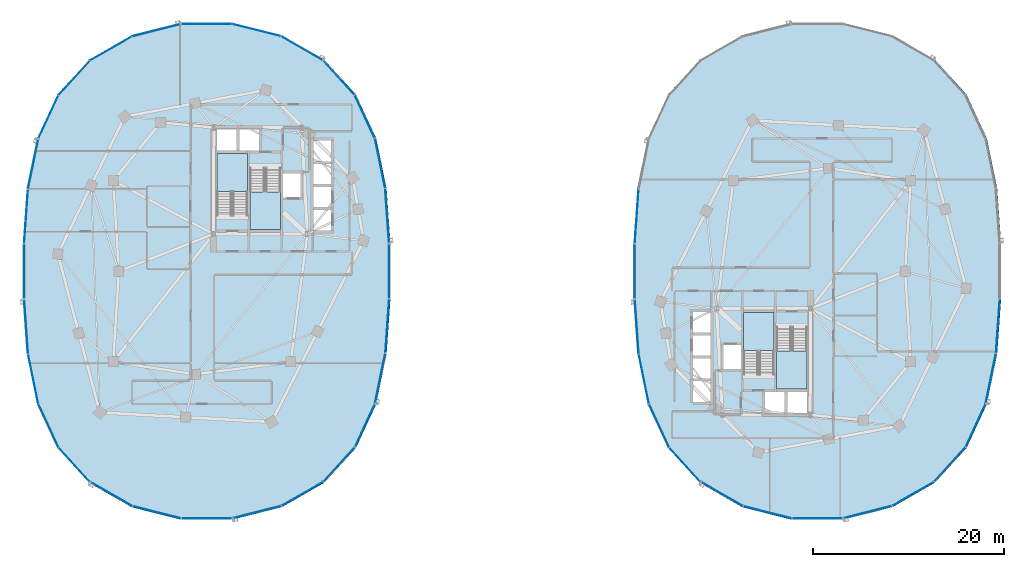
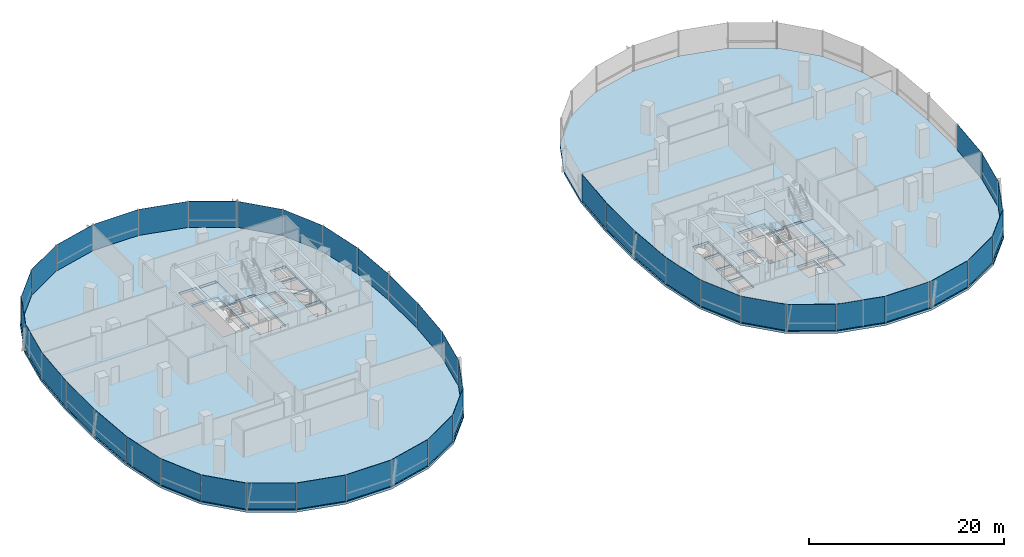
# One storey, part 9 of 21: 43 plates, 6 slabs, 11 elements without a shape of their own.
"""IFC4 building model written with IfcOpenShell, lengths in metres."""

from ifc_helpers import new_model, si_unit, direction, frame, origin, origin_2d, place, context, subcontext, project, spatial, polyline, rectangle, outline, extrude, material, layer, layer_set, type_object, element, aggregate, save


model = new_model("IFC4")

# Units and contexts
model_context = context("Model", 3, precision=1e-05, world=origin(), true_north=direction((0.0, 1.0)))
body_context = subcontext(model_context, "Body", "Model", "MODEL_VIEW")
ifc_project = project(units=[si_unit("LENGTHUNIT", "METRE"), si_unit("AREAUNIT", "SQUARE_METRE"), si_unit("VOLUMEUNIT", "CUBIC_METRE"), si_unit("PLANEANGLEUNIT", "RADIAN"), si_unit("MASSUNIT", "GRAM", prefix="KILO"), si_unit("THERMODYNAMICTEMPERATUREUNIT", "KELVIN"), si_unit("POWERUNIT", "WATT")], contexts=[model_context])

# Site, building, storey
site_placement = place(None, origin())
site = spatial("IfcSite", under=ifc_project, at=site_placement, CompositionType="ELEMENT")
building_placement = place(site_placement, origin())
building = spatial("IfcBuilding", under=site, at=building_placement, Name="Cundina Bronze Exchange", CompositionType="ELEMENT")
storey_placement = place(building_placement, frame((0.0, 0.0, 110.60009765625)))
storey = spatial("IfcBuildingStorey", under=building, at=storey_placement, Name="L28", CompositionType="ELEMENT", Elevation=110.60009765625)

# Curtain wall, plates
ifc_material_1 = material(Name="Anodised Bronze Aluminium 6063-T6", Category="aluminium")
curtain_wall_type = type_object("IfcCurtainWallType", Name="CWS-TRD-MID", PredefinedType="NOTDEFINED", material=ifc_material_1)
curtain_wall_1_placement = place(storey_placement, origin())
curtain_wall_1 = element("IfcCurtainWall", 1, at=curtain_wall_1_placement, inside=storey, type_object=curtain_wall_type, Name="L28 CW-03 Curtain Wall Run CWR-L28-W1", PredefinedType="NOTDEFINED")
ifc_material_2 = material(Name="Heat-Strengthened Solar-Control Bronze Safety Glass 28mm", Category="glass")
ifc_layer_1 = layer(ifc_material_2, 0.028076171875, Name="Heat-Strengthened Solar-Control Bronze Safety Glass 28mm", Category="glass")
ifc_layer_set_1 = layer_set([ifc_layer_1], Name="Heat-Strengthened Solar-Control Bronze Safety Glass 28mm")
plate_type_1 = type_object("IfcPlateType", Name="PLT-GLZ-VIS28", PredefinedType="CURTAIN_PANEL", material=ifc_layer_set_1)
plate_1_placement = place(storey_placement, frame((-13.0732421875, 5.783935546875, 0.02001953125), z_axis=(0.0, 0.0, 1.0), x_axis=(-0.070278787473, 0.997527389113, 0.0)))
plate_1 = element("IfcPlate", 2, at=plate_1_placement, type_object=plate_type_1, Name="CW-03 Glazed Panel 1", PredefinedType="CURTAIN_PANEL", context=body_context, shape_type="SweptSolid", body=[
    extrude(rectangle(XDim=5.644287109375, YDim=0.028076171875, at=origin_2d()), origin(), (0.0, 0.0, 1.0), 3.260009765625),
])
plate_2_placement = place(storey_placement, frame((-15.413818359375, 16.177734375, 0.02001953125), z_axis=(0.0, 0.0, 1.0), x_axis=(-0.42084583328, 0.907132175932, 0.0)))
plate_2 = element("IfcPlate", 3, at=plate_2_placement, type_object=plate_type_1, Name="CW-03 Glazed Panel 3", PredefinedType="CURTAIN_PANEL", context=body_context, shape_type="SweptSolid", body=[
    extrude(rectangle(XDim=4.966552734375, YDim=0.028076171875, at=origin_2d()), origin(), (0.0, 0.0, 1.0), 3.260009765625),
])
plate_3_placement = place(storey_placement, frame((-18.1259765625, 20.267333984375, 0.02001953125), z_axis=(0.0, 0.0, 1.0), x_axis=(-0.674276610219, 0.73847887777, 0.0)))
plate_3 = element("IfcPlate", 4, at=plate_3_placement, type_object=plate_type_1, Name="CW-03 Glazed Panel 4", PredefinedType="CURTAIN_PANEL", context=body_context, shape_type="SweptSolid", body=[
    extrude(rectangle(XDim=4.86328125, YDim=0.028076171875, at=origin_2d()), origin(), (0.0, 0.0, 1.0), 3.260009765625),
])
plate_4_placement = place(storey_placement, frame((-21.980712890625, 23.34423828125, 0.02001953125), z_axis=(0.0, 0.0, 1.0), x_axis=(-0.867105478933, 0.498124571171, 0.0)))
plate_4 = element("IfcPlate", 5, at=plate_4_placement, type_object=plate_type_1, Name="CW-03 Glazed Panel 5", PredefinedType="CURTAIN_PANEL", context=body_context, shape_type="SweptSolid", body=[
    extrude(rectangle(XDim=5.021240234375, YDim=0.028076171875, at=origin_2d()), origin(), (0.0, 0.0, 1.0), 3.260009765625),
])
plate_5_placement = place(storey_placement, frame((-26.744384765625, 25.256591796875, 0.02001953125), z_axis=(0.0, 0.0, 1.0), x_axis=(-0.969488149345, 0.245138182011, 0.0)))
plate_5 = element("IfcPlate", 6, at=plate_5_placement, type_object=plate_type_1, Name="CW-03 Glazed Panel 6", PredefinedType="CURTAIN_PANEL", context=body_context, shape_type="SweptSolid", body=[
    extrude(rectangle(XDim=5.2333984375, YDim=0.028076171875, at=origin_2d()), origin(), (0.0, 0.0, 1.0), 3.260009765625),
])

curtain_wall_2_placement = place(storey_placement, origin())
curtain_wall_2 = element("IfcCurtainWall", 7, at=curtain_wall_2_placement, inside=storey, type_object=curtain_wall_type, Name="L28 CW-03 Curtain Wall Run CWR-L28-W2", PredefinedType="NOTDEFINED")
plate_6_placement = place(storey_placement, frame((-42.019287109375, 23.34423828125, 0.02001953125), z_axis=(0.0, 0.0, 1.0), x_axis=(-0.867105478933, -0.498124571171, 0.0)))
plate_6 = element("IfcPlate", 8, at=plate_6_placement, type_object=plate_type_1, Name="CW-03 Glazed Panel 2", PredefinedType="CURTAIN_PANEL", context=body_context, shape_type="SweptSolid", body=[
    extrude(rectangle(XDim=5.021240234375, YDim=0.028076171875, at=origin_2d()), origin(), (0.0, 0.0, 1.0), 3.260009765625),
])
plate_7_placement = place(storey_placement, frame((-45.8740234375, 20.267333984375, 0.02001953125), z_axis=(0.0, 0.0, 1.0), x_axis=(-0.674276610219, -0.73847887777, 0.0)))
plate_7 = element("IfcPlate", 9, at=plate_7_placement, type_object=plate_type_1, Name="CW-03 Glazed Panel 3", PredefinedType="CURTAIN_PANEL", context=body_context, shape_type="SweptSolid", body=[
    extrude(rectangle(XDim=4.86328125, YDim=0.028076171875, at=origin_2d()), origin(), (0.0, 0.0, 1.0), 3.260009765625),
])
plate_8_placement = place(storey_placement, frame((-48.586181640625, 16.177734375, 0.02001953125), z_axis=(0.0, 0.0, 1.0), x_axis=(-0.42084583328, -0.907132175932, 0.0)))
plate_8 = element("IfcPlate", 10, at=plate_8_placement, type_object=plate_type_1, Name="CW-03 Glazed Panel 4", PredefinedType="CURTAIN_PANEL", context=body_context, shape_type="SweptSolid", body=[
    extrude(rectangle(XDim=4.966552734375, YDim=0.028076171875, at=origin_2d()), origin(), (0.0, 0.0, 1.0), 3.260009765625),
])
plate_9_placement = place(storey_placement, frame((-50.18408203125, 11.269775390625, 0.02001953125), z_axis=(0.0, 0.0, 1.0), x_axis=(-0.201419845156, -0.979505000486, 0.0)))
plate_9 = element("IfcPlate", 11, at=plate_9_placement, type_object=plate_type_1, Name="CW-03 Glazed Panel 5", PredefinedType="CURTAIN_PANEL", context=body_context, shape_type="SweptSolid", body=[
    extrude(rectangle(XDim=5.306640625, YDim=0.028076171875, at=origin_2d()), origin(), (0.0, 0.0, 1.0), 3.260009765625),
])
plate_10_placement = place(storey_placement, frame((-51.1279296875, 0.0, 0.02001953125), z_axis=(0.0, 0.0, 1.0), x_axis=(0.0, -1.0, 0.0)))
plate_10 = element("IfcPlate", 12, at=plate_10_placement, type_object=plate_type_1, Name="CW-03 Glazed Panel 7", PredefinedType="CURTAIN_PANEL", context=body_context, shape_type="SweptSolid", body=[
    extrude(rectangle(XDim=5.77587890625, YDim=0.028076171875, at=origin_2d()), origin(), (0.0, 0.0, 1.0), 3.260009765625),
])

curtain_wall_3_placement = place(storey_placement, origin())
curtain_wall_3 = element("IfcCurtainWall", 13, at=curtain_wall_3_placement, inside=storey, type_object=curtain_wall_type, Name="L28 CW-03 Curtain Wall Run CWR-L28-W3", PredefinedType="NOTDEFINED")
plate_11_placement = place(storey_placement, frame((-50.9267578125, -5.783935546875, 0.02001953125), z_axis=(0.0, 0.0, 1.0), x_axis=(0.070278787473, -0.997527389113, 0.0)))
plate_11 = element("IfcPlate", 14, at=plate_11_placement, type_object=plate_type_1, Name="CW-03 Glazed Panel 1", PredefinedType="CURTAIN_PANEL", context=body_context, shape_type="SweptSolid", body=[
    extrude(rectangle(XDim=5.644287109375, YDim=0.028076171875, at=origin_2d()), origin(), (0.0, 0.0, 1.0), 3.260009765625),
])
plate_12_placement = place(storey_placement, frame((-50.18408203125, -11.269775390625, 0.02001953125), z_axis=(0.0, 0.0, 1.0), x_axis=(0.201419845156, -0.979505000486, 0.0)))
plate_12 = element("IfcPlate", 15, at=plate_12_placement, type_object=plate_type_1, Name="CW-03 Glazed Panel 2", PredefinedType="CURTAIN_PANEL", context=body_context, shape_type="SweptSolid", body=[
    extrude(rectangle(XDim=5.306640625, YDim=0.028076171875, at=origin_2d()), origin(), (0.0, 0.0, 1.0), 3.260009765625),
])
plate_13_placement = place(storey_placement, frame((-48.586181640625, -16.177734375, 0.02001953125), z_axis=(0.0, 0.0, 1.0), x_axis=(0.42084583328, -0.907132175932, 0.0)))
plate_13 = element("IfcPlate", 16, at=plate_13_placement, type_object=plate_type_1, Name="CW-03 Glazed Panel 3", PredefinedType="CURTAIN_PANEL", context=body_context, shape_type="SweptSolid", body=[
    extrude(rectangle(XDim=4.966552734375, YDim=0.028076171875, at=origin_2d()), origin(), (0.0, 0.0, 1.0), 3.260009765625),
])
plate_14_placement = place(storey_placement, frame((-45.8740234375, -20.267333984375, 0.02001953125), z_axis=(0.0, 0.0, 1.0), x_axis=(0.674276610219, -0.73847887777, 0.0)))
plate_14 = element("IfcPlate", 17, at=plate_14_placement, type_object=plate_type_1, Name="CW-03 Glazed Panel 4", PredefinedType="CURTAIN_PANEL", context=body_context, shape_type="SweptSolid", body=[
    extrude(rectangle(XDim=4.86328125, YDim=0.028076171875, at=origin_2d()), origin(), (0.0, 0.0, 1.0), 3.260009765625),
])
plate_15_placement = place(storey_placement, frame((-37.255615234375, -25.256591796875, 0.02001953125), z_axis=(0.0, 0.0, 1.0), x_axis=(0.969488149345, -0.245138182011, 0.0)))
plate_15 = element("IfcPlate", 18, at=plate_15_placement, type_object=plate_type_1, Name="CW-03 Glazed Panel 6", PredefinedType="CURTAIN_PANEL", context=body_context, shape_type="SweptSolid", body=[
    extrude(rectangle(XDim=5.2333984375, YDim=0.028076171875, at=origin_2d()), origin(), (0.0, 0.0, 1.0), 3.260009765625),
])
plate_16_placement = place(storey_placement, frame((-32.0, -25.905029296875, 0.02001953125), z_axis=(0.0, 0.0, 1.0), x_axis=(1.0, 0.0, 0.0)))
plate_16 = element("IfcPlate", 19, at=plate_16_placement, type_object=plate_type_1, Name="CW-03 Glazed Panel 7", PredefinedType="CURTAIN_PANEL", context=body_context, shape_type="SweptSolid", body=[
    extrude(rectangle(XDim=5.323974609375, YDim=0.028076171875, at=origin_2d()), origin(), (0.0, 0.0, 1.0), 3.260009765625),
])

curtain_wall_4_placement = place(storey_placement, origin())
curtain_wall_4 = element("IfcCurtainWall", 20, at=curtain_wall_4_placement, inside=storey, type_object=curtain_wall_type, Name="L28 CW-03 Curtain Wall Run CWR-L28-W4", PredefinedType="NOTDEFINED")
plate_17_placement = place(storey_placement, frame((-26.744384765625, -25.256591796875, 0.02001953125), z_axis=(0.0, 0.0, 1.0), x_axis=(0.969488149345, 0.245138182011, 0.0)))
plate_17 = element("IfcPlate", 21, at=plate_17_placement, type_object=plate_type_1, Name="CW-03 Glazed Panel 1", PredefinedType="CURTAIN_PANEL", context=body_context, shape_type="SweptSolid", body=[
    extrude(rectangle(XDim=5.2333984375, YDim=0.028076171875, at=origin_2d()), origin(), (0.0, 0.0, 1.0), 3.260009765625),
])
plate_18_placement = place(storey_placement, frame((-21.980712890625, -23.34423828125, 0.02001953125), z_axis=(0.0, 0.0, 1.0), x_axis=(0.867105478933, 0.498124571171, 0.0)))
plate_18 = element("IfcPlate", 22, at=plate_18_placement, type_object=plate_type_1, Name="CW-03 Glazed Panel 2", PredefinedType="CURTAIN_PANEL", context=body_context, shape_type="SweptSolid", body=[
    extrude(rectangle(XDim=5.021240234375, YDim=0.028076171875, at=origin_2d()), origin(), (0.0, 0.0, 1.0), 3.260009765625),
])
plate_19_placement = place(storey_placement, frame((-18.1259765625, -20.267333984375, 0.02001953125), z_axis=(0.0, 0.0, 1.0), x_axis=(0.674276610219, 0.73847887777, 0.0)))
plate_19 = element("IfcPlate", 23, at=plate_19_placement, type_object=plate_type_1, Name="CW-03 Glazed Panel 3", PredefinedType="CURTAIN_PANEL", context=body_context, shape_type="SweptSolid", body=[
    extrude(rectangle(XDim=4.86328125, YDim=0.028076171875, at=origin_2d()), origin(), (0.0, 0.0, 1.0), 3.260009765625),
])
plate_20_placement = place(storey_placement, frame((-13.81591796875, -11.269775390625, 0.02001953125), z_axis=(0.0, 0.0, 1.0), x_axis=(0.201419845156, 0.979505000486, 0.0)))
plate_20 = element("IfcPlate", 24, at=plate_20_placement, type_object=plate_type_1, Name="CW-03 Glazed Panel 5", PredefinedType="CURTAIN_PANEL", context=body_context, shape_type="SweptSolid", body=[
    extrude(rectangle(XDim=5.306640625, YDim=0.028076171875, at=origin_2d()), origin(), (0.0, 0.0, 1.0), 3.260009765625),
])
plate_21_placement = place(storey_placement, frame((-13.0732421875, -5.783935546875, 0.02001953125), z_axis=(0.0, 0.0, 1.0), x_axis=(0.070278787473, 0.997527389113, 0.0)))
plate_21 = element("IfcPlate", 25, at=plate_21_placement, type_object=plate_type_1, Name="CW-03 Glazed Panel 6", PredefinedType="CURTAIN_PANEL", context=body_context, shape_type="SweptSolid", body=[
    extrude(rectangle(XDim=5.644287109375, YDim=0.028076171875, at=origin_2d()), origin(), (0.0, 0.0, 1.0), 3.260009765625),
])
plate_22_placement = place(storey_placement, frame((-12.8720703125, 0.0, 0.02001953125), z_axis=(0.0, 0.0, 1.0), x_axis=(0.0, 1.0, 0.0)))
plate_22 = element("IfcPlate", 26, at=plate_22_placement, type_object=plate_type_1, Name="CW-03 Glazed Panel 7", PredefinedType="CURTAIN_PANEL", context=body_context, shape_type="SweptSolid", body=[
    extrude(rectangle(XDim=5.77587890625, YDim=0.028076171875, at=origin_2d()), origin(), (0.0, 0.0, 1.0), 3.260009765625),
])

# Curtain wall, plate
curtain_wall_5_placement = place(storey_placement, origin())
curtain_wall_5 = element("IfcCurtainWall", 27, at=curtain_wall_5_placement, inside=storey, type_object=curtain_wall_type, Name="L28 CW-03 Curtain Wall Run CWR-L28-E2", PredefinedType="NOTDEFINED")
plate_23_placement = place(storey_placement, frame((12.8720703125, 0.0, 0.02001953125), z_axis=(0.0, 0.0, 1.0), x_axis=(0.0, -1.0, 0.0)))
plate_23 = element("IfcPlate", 28, at=plate_23_placement, type_object=plate_type_1, Name="CW-03 Glazed Panel 7", PredefinedType="CURTAIN_PANEL", context=body_context, shape_type="SweptSolid", body=[
    extrude(rectangle(XDim=5.77587890625, YDim=0.028076171875, at=origin_2d()), origin(), (0.0, 0.0, 1.0), 3.260009765625),
])

# Curtain wall, plates
curtain_wall_6_placement = place(storey_placement, origin())
curtain_wall_6 = element("IfcCurtainWall", 29, at=curtain_wall_6_placement, inside=storey, type_object=curtain_wall_type, Name="L28 CW-03 Curtain Wall Run CWR-L28-E3", PredefinedType="NOTDEFINED")
plate_24_placement = place(storey_placement, frame((13.0732421875, -5.783935546875, 0.02001953125), z_axis=(0.0, 0.0, 1.0), x_axis=(0.070278787473, -0.997527389113, 0.0)))
plate_24 = element("IfcPlate", 30, at=plate_24_placement, type_object=plate_type_1, Name="CW-03 Glazed Panel 1", PredefinedType="CURTAIN_PANEL", context=body_context, shape_type="SweptSolid", body=[
    extrude(rectangle(XDim=5.644287109375, YDim=0.028076171875, at=origin_2d()), origin(), (0.0, 0.0, 1.0), 3.260009765625),
])
plate_25_placement = place(storey_placement, frame((13.81591796875, -11.269775390625, 0.02001953125), z_axis=(0.0, 0.0, 1.0), x_axis=(0.201419845156, -0.979505000486, 0.0)))
plate_25 = element("IfcPlate", 31, at=plate_25_placement, type_object=plate_type_1, Name="CW-03 Glazed Panel 2", PredefinedType="CURTAIN_PANEL", context=body_context, shape_type="SweptSolid", body=[
    extrude(rectangle(XDim=5.306640625, YDim=0.028076171875, at=origin_2d()), origin(), (0.0, 0.0, 1.0), 3.260009765625),
])
plate_26_placement = place(storey_placement, frame((15.413818359375, -16.177734375, 0.02001953125), z_axis=(0.0, 0.0, 1.0), x_axis=(0.42084583328, -0.907132175932, 0.0)))
plate_26 = element("IfcPlate", 32, at=plate_26_placement, type_object=plate_type_1, Name="CW-03 Glazed Panel 3", PredefinedType="CURTAIN_PANEL", context=body_context, shape_type="SweptSolid", body=[
    extrude(rectangle(XDim=4.966552734375, YDim=0.028076171875, at=origin_2d()), origin(), (0.0, 0.0, 1.0), 3.260009765625),
])
plate_27_placement = place(storey_placement, frame((18.1259765625, -20.267333984375, 0.02001953125), z_axis=(0.0, 0.0, 1.0), x_axis=(0.674276610219, -0.73847887777, 0.0)))
plate_27 = element("IfcPlate", 33, at=plate_27_placement, type_object=plate_type_1, Name="CW-03 Glazed Panel 4", PredefinedType="CURTAIN_PANEL", context=body_context, shape_type="SweptSolid", body=[
    extrude(rectangle(XDim=4.86328125, YDim=0.028076171875, at=origin_2d()), origin(), (0.0, 0.0, 1.0), 3.260009765625),
])
plate_28_placement = place(storey_placement, frame((26.744384765625, -25.256591796875, 0.02001953125), z_axis=(0.0, 0.0, 1.0), x_axis=(0.969488149345, -0.245138182011, 0.0)))
plate_28 = element("IfcPlate", 34, at=plate_28_placement, type_object=plate_type_1, Name="CW-03 Glazed Panel 6", PredefinedType="CURTAIN_PANEL", context=body_context, shape_type="SweptSolid", body=[
    extrude(rectangle(XDim=5.2333984375, YDim=0.028076171875, at=origin_2d()), origin(), (0.0, 0.0, 1.0), 3.260009765625),
])
plate_29_placement = place(storey_placement, frame((32.0, -25.905029296875, 0.02001953125), z_axis=(0.0, 0.0, 1.0), x_axis=(1.0, 0.0, 0.0)))
plate_29 = element("IfcPlate", 35, at=plate_29_placement, type_object=plate_type_1, Name="CW-03 Glazed Panel 7", PredefinedType="CURTAIN_PANEL", context=body_context, shape_type="SweptSolid", body=[
    extrude(rectangle(XDim=5.323974609375, YDim=0.028076171875, at=origin_2d()), origin(), (0.0, 0.0, 1.0), 3.260009765625),
])

curtain_wall_7_placement = place(storey_placement, origin())
curtain_wall_7 = element("IfcCurtainWall", 36, at=curtain_wall_7_placement, inside=storey, type_object=curtain_wall_type, Name="L28 CW-03 Curtain Wall Run CWR-L28-E4", PredefinedType="NOTDEFINED")
plate_30_placement = place(storey_placement, frame((37.255615234375, -25.256591796875, 0.02001953125), z_axis=(0.0, 0.0, 1.0), x_axis=(0.969488149345, 0.245138182011, 0.0)))
plate_30 = element("IfcPlate", 37, at=plate_30_placement, type_object=plate_type_1, Name="CW-03 Glazed Panel 1", PredefinedType="CURTAIN_PANEL", context=body_context, shape_type="SweptSolid", body=[
    extrude(rectangle(XDim=5.2333984375, YDim=0.028076171875, at=origin_2d()), origin(), (0.0, 0.0, 1.0), 3.260009765625),
])
plate_31_placement = place(storey_placement, frame((42.019287109375, -23.34423828125, 0.02001953125), z_axis=(0.0, 0.0, 1.0), x_axis=(0.867105478933, 0.498124571171, 0.0)))
plate_31 = element("IfcPlate", 38, at=plate_31_placement, type_object=plate_type_1, Name="CW-03 Glazed Panel 2", PredefinedType="CURTAIN_PANEL", context=body_context, shape_type="SweptSolid", body=[
    extrude(rectangle(XDim=5.021240234375, YDim=0.028076171875, at=origin_2d()), origin(), (0.0, 0.0, 1.0), 3.260009765625),
])
plate_32_placement = place(storey_placement, frame((45.8740234375, -20.267333984375, 0.02001953125), z_axis=(0.0, 0.0, 1.0), x_axis=(0.674276610219, 0.73847887777, 0.0)))
plate_32 = element("IfcPlate", 39, at=plate_32_placement, type_object=plate_type_1, Name="CW-03 Glazed Panel 3", PredefinedType="CURTAIN_PANEL", context=body_context, shape_type="SweptSolid", body=[
    extrude(rectangle(XDim=4.86328125, YDim=0.028076171875, at=origin_2d()), origin(), (0.0, 0.0, 1.0), 3.260009765625),
])
plate_33_placement = place(storey_placement, frame((50.18408203125, -11.269775390625, 0.02001953125), z_axis=(0.0, 0.0, 1.0), x_axis=(0.201419845156, 0.979505000486, 0.0)))
plate_33 = element("IfcPlate", 40, at=plate_33_placement, type_object=plate_type_1, Name="CW-03 Glazed Panel 5", PredefinedType="CURTAIN_PANEL", context=body_context, shape_type="SweptSolid", body=[
    extrude(rectangle(XDim=5.306640625, YDim=0.028076171875, at=origin_2d()), origin(), (0.0, 0.0, 1.0), 3.260009765625),
])
plate_34_placement = place(storey_placement, frame((50.9267578125, -5.783935546875, 0.02001953125), z_axis=(0.0, 0.0, 1.0), x_axis=(0.070278787473, 0.997527389113, 0.0)))
plate_34 = element("IfcPlate", 41, at=plate_34_placement, type_object=plate_type_1, Name="CW-03 Glazed Panel 6", PredefinedType="CURTAIN_PANEL", context=body_context, shape_type="SweptSolid", body=[
    extrude(rectangle(XDim=5.644287109375, YDim=0.028076171875, at=origin_2d()), origin(), (0.0, 0.0, 1.0), 3.260009765625),
])

# Plate
ifc_material_3 = material(Name="Dark Bronze Spandrel Glass Panel 32mm", Category="glass")
ifc_layer_2 = layer(ifc_material_3, 0.031982421875, Name="Dark Bronze Spandrel Glass Panel 32mm", Category="glass")
ifc_layer_set_2 = layer_set([ifc_layer_2], Name="Dark Bronze Spandrel Glass Panel 32mm")
plate_type_2 = type_object("IfcPlateType", Name="PLT-SPN-BRZ32", PredefinedType="CURTAIN_PANEL", material=ifc_layer_set_2)
plate_35_placement = place(storey_placement, frame((-13.81591796875, 11.269775390625, 0.02001953125), z_axis=(0.0, 0.0, 1.0), x_axis=(-0.201419845156, 0.979505000486, 0.0)))
plate_35 = element("IfcPlate", 42, at=plate_35_placement, type_object=plate_type_2, Name="CW-03 Glazed Panel 2", PredefinedType="CURTAIN_PANEL", context=body_context, shape_type="SweptSolid", body=[
    extrude(rectangle(XDim=5.306640625, YDim=0.031982421875, at=origin_2d()), origin(), (0.0, 0.0, 1.0), 3.260009765625),
])

plate_36_placement = place(storey_placement, frame((-32.0, 25.905029296875, 0.02001953125), z_axis=(0.0, 0.0, 1.0), x_axis=(-1.0, 0.0, 0.0)))
plate_36 = element("IfcPlate", 43, at=plate_36_placement, type_object=plate_type_2, Name="CW-03 Glazed Panel 7", PredefinedType="CURTAIN_PANEL", context=body_context, shape_type="SweptSolid", body=[
    extrude(rectangle(XDim=5.323974609375, YDim=0.031982421875, at=origin_2d()), origin(), (0.0, 0.0, 1.0), 3.260009765625),
])

aggregate(curtain_wall_1, [plate_1, plate_35, plate_2, plate_3, plate_4, plate_5, plate_36])

plate_37_placement = place(storey_placement, frame((-37.255615234375, 25.256591796875, 0.02001953125), z_axis=(0.0, 0.0, 1.0), x_axis=(-0.969488149345, -0.245138182011, 0.0)))
plate_37 = element("IfcPlate", 44, at=plate_37_placement, type_object=plate_type_2, Name="CW-03 Glazed Panel 1", PredefinedType="CURTAIN_PANEL", context=body_context, shape_type="SweptSolid", body=[
    extrude(rectangle(XDim=5.2333984375, YDim=0.031982421875, at=origin_2d()), origin(), (0.0, 0.0, 1.0), 3.260009765625),
])

plate_38_placement = place(storey_placement, frame((-50.9267578125, 5.783935546875, 0.02001953125), z_axis=(0.0, 0.0, 1.0), x_axis=(-0.070278787473, -0.997527389113, 0.0)))
plate_38 = element("IfcPlate", 45, at=plate_38_placement, type_object=plate_type_2, Name="CW-03 Glazed Panel 6", PredefinedType="CURTAIN_PANEL", context=body_context, shape_type="SweptSolid", body=[
    extrude(rectangle(XDim=5.644287109375, YDim=0.031982421875, at=origin_2d()), origin(), (0.0, 0.0, 1.0), 3.260009765625),
])

aggregate(curtain_wall_2, [plate_37, plate_6, plate_7, plate_8, plate_9, plate_38, plate_10])

plate_39_placement = place(storey_placement, frame((-42.019287109375, -23.34423828125, 0.02001953125), z_axis=(0.0, 0.0, 1.0), x_axis=(0.867105478933, -0.498124571171, 0.0)))
plate_39 = element("IfcPlate", 46, at=plate_39_placement, type_object=plate_type_2, Name="CW-03 Glazed Panel 5", PredefinedType="CURTAIN_PANEL", context=body_context, shape_type="SweptSolid", body=[
    extrude(rectangle(XDim=5.021240234375, YDim=0.031982421875, at=origin_2d()), origin(), (0.0, 0.0, 1.0), 3.260009765625),
])

aggregate(curtain_wall_3, [plate_11, plate_12, plate_13, plate_14, plate_39, plate_15, plate_16])

plate_40_placement = place(storey_placement, frame((-15.413818359375, -16.177734375, 0.02001953125), z_axis=(0.0, 0.0, 1.0), x_axis=(0.42084583328, 0.907132175932, 0.0)))
plate_40 = element("IfcPlate", 47, at=plate_40_placement, type_object=plate_type_2, Name="CW-03 Glazed Panel 4", PredefinedType="CURTAIN_PANEL", context=body_context, shape_type="SweptSolid", body=[
    extrude(rectangle(XDim=4.966552734375, YDim=0.031982421875, at=origin_2d()), origin(), (0.0, 0.0, 1.0), 3.260009765625),
])

aggregate(curtain_wall_4, [plate_17, plate_18, plate_19, plate_40, plate_20, plate_21, plate_22])

plate_41_placement = place(storey_placement, frame((13.0732421875, 5.783935546875, 0.02001953125), z_axis=(0.0, 0.0, 1.0), x_axis=(-0.070278787473, -0.997527389113, 0.0)))
plate_41 = element("IfcPlate", 48, at=plate_41_placement, type_object=plate_type_2, Name="CW-03 Glazed Panel 6", PredefinedType="CURTAIN_PANEL", context=body_context, shape_type="SweptSolid", body=[
    extrude(rectangle(XDim=5.644287109375, YDim=0.031982421875, at=origin_2d()), origin(), (0.0, 0.0, 1.0), 3.260009765625),
])

aggregate(curtain_wall_5, [plate_41, plate_23])

plate_42_placement = place(storey_placement, frame((21.980712890625, -23.34423828125, 0.02001953125), z_axis=(0.0, 0.0, 1.0), x_axis=(0.867105478933, -0.498124571171, 0.0)))
plate_42 = element("IfcPlate", 49, at=plate_42_placement, type_object=plate_type_2, Name="CW-03 Glazed Panel 5", PredefinedType="CURTAIN_PANEL", context=body_context, shape_type="SweptSolid", body=[
    extrude(rectangle(XDim=5.021240234375, YDim=0.031982421875, at=origin_2d()), origin(), (0.0, 0.0, 1.0), 3.260009765625),
])

aggregate(curtain_wall_6, [plate_24, plate_25, plate_26, plate_27, plate_42, plate_28, plate_29])

plate_43_placement = place(storey_placement, frame((48.586181640625, -16.177734375, 0.02001953125), z_axis=(0.0, 0.0, 1.0), x_axis=(0.42084583328, 0.907132175932, 0.0)))
plate_43 = element("IfcPlate", 50, at=plate_43_placement, type_object=plate_type_2, Name="CW-03 Glazed Panel 4", PredefinedType="CURTAIN_PANEL", context=body_context, shape_type="SweptSolid", body=[
    extrude(rectangle(XDim=4.966552734375, YDim=0.031982421875, at=origin_2d()), origin(), (0.0, 0.0, 1.0), 3.260009765625),
])

aggregate(curtain_wall_7, [plate_30, plate_31, plate_32, plate_43, plate_33, plate_34])

# Stair, slab
ifc_material_4 = material(Name="Concrete C40/50", Category="concrete")
stair_type = type_object("IfcStairType", Name="STR-OFF-360", PredefinedType="HALF_TURN_STAIR", material=ifc_material_4)
stair_1_placement = place(storey_placement, origin())
stair_1 = element("IfcStair", 51, at=stair_1_placement, inside=storey, type_object=stair_type, Name="L28 Smokeproof Exit Stair W1", PredefinedType="HALF_TURN_STAIR")
ifc_layer_3 = layer(ifc_material_4, 0.199951171875, Name="Concrete C40/50", Category="concrete")
ifc_layer_set_3 = layer_set([ifc_layer_3], Name="Concrete C40/50")
slab_type_1 = type_object("IfcSlabType", Name="SLB-LND-200", PredefinedType="LANDING", material=ifc_layer_set_3)
slab_1_placement = place(storey_placement, frame((0.0, 0.0, 1.599853515625)))
slab_1 = element("IfcSlab", 52, at=slab_1_placement, type_object=slab_type_1, Name="ST-W1 landing 1", PredefinedType="LANDING", context=body_context, shape_type="SweptSolid", body=[
    extrude(outline(polyline([(-27.739990234375, 8.3701171875), (-27.739990234375, 12.35009765625), (-30.89990234375, 12.35009765625), (-30.89990234375, 8.3701171875), (-27.739990234375, 8.3701171875)])), origin(), (0.0, 0.0, 1.0), 0.199951171875),
])
aggregate(stair_1, [slab_1])

stair_2_placement = place(storey_placement, origin())
stair_2 = element("IfcStair", 53, at=stair_2_placement, inside=storey, type_object=stair_type, Name="L28 Smokeproof Exit Stair W2", PredefinedType="HALF_TURN_STAIR")
slab_2_placement = place(storey_placement, frame((0.0, 0.0, 1.599853515625)))
slab_2 = element("IfcSlab", 54, at=slab_2_placement, type_object=slab_type_1, Name="ST-W2 landing 1", PredefinedType="LANDING", context=body_context, shape_type="SweptSolid", body=[
    extrude(outline(polyline([(-27.43994140625, 8.330078125), (-27.43994140625, 4.35009765625), (-24.280029296875, 4.35009765625), (-24.280029296875, 8.330078125), (-27.43994140625, 8.330078125)])), origin(), (0.0, 0.0, 1.0), 0.199951171875),
])
aggregate(stair_2, [slab_2])

stair_3_placement = place(storey_placement, origin())
stair_3 = element("IfcStair", 55, at=stair_3_placement, inside=storey, type_object=stair_type, Name="L28 Smokeproof Exit Stair E1", PredefinedType="HALF_TURN_STAIR")
slab_3_placement = place(storey_placement, frame((0.0, 0.0, 1.599853515625)))
slab_3 = element("IfcSlab", 56, at=slab_3_placement, type_object=slab_type_1, Name="ST-E1 landing 1", PredefinedType="LANDING", context=body_context, shape_type="SweptSolid", body=[
    extrude(outline(polyline([(27.739990234375, -8.3701171875), (27.739990234375, -12.35009765625), (30.89990234375, -12.35009765625), (30.89990234375, -8.3701171875), (27.739990234375, -8.3701171875)])), origin(), (0.0, 0.0, 1.0), 0.199951171875),
])
aggregate(stair_3, [slab_3])

stair_4_placement = place(storey_placement, origin())
stair_4 = element("IfcStair", 57, at=stair_4_placement, inside=storey, type_object=stair_type, Name="L28 Smokeproof Exit Stair E2", PredefinedType="HALF_TURN_STAIR")
slab_4_placement = place(storey_placement, frame((0.0, 0.0, 1.599853515625)))
slab_4 = element("IfcSlab", 58, at=slab_4_placement, type_object=slab_type_1, Name="ST-E2 landing 1", PredefinedType="LANDING", context=body_context, shape_type="SweptSolid", body=[
    extrude(outline(polyline([(27.43994140625, -8.330078125), (27.43994140625, -4.35009765625), (24.280029296875, -4.35009765625), (24.280029296875, -8.330078125), (27.43994140625, -8.330078125)])), origin(), (0.0, 0.0, 1.0), 0.199951171875),
])
aggregate(stair_4, [slab_4])

# Slabs
ifc_material_5 = material(Name="Concrete C50/60", Category="concrete")
ifc_layer_4 = layer(ifc_material_5, 0.300048828125, Name="Concrete C50/60", Category="concrete")
ifc_layer_set_4 = layer_set([ifc_layer_4], Name="Concrete C50/60")
slab_type_2 = type_object("IfcSlabType", Name="SLB-TRD-300", PredefinedType="FLOOR", material=ifc_layer_set_4)
slab_5_placement = place(storey_placement, frame((0.0, 0.0, -0.300048828125)))
element("IfcSlab", 59, at=slab_5_placement, inside=storey, type_object=slab_type_2, Name="L28 Leg W Structural Floor Slab", PredefinedType="FLOOR", context=body_context, shape_type="SweptSolid", body=[
    extrude(outline(polyline([(-12.741943359375, 2.93310546875), (-13.14501953125, 8.653076171875), (-14.23193359375, 13.93896484375), (-16.360107421875, 18.52587890625), (-19.699951171875, 22.18408203125), (-24.132080078125, 24.72998046875), (-29.29296875, 26.034912109375), (-34.70703125, 26.034912109375), (-39.867919921875, 24.72998046875), (-44.300048828125, 22.18408203125), (-47.639892578125, 18.52587890625), (-49.76806640625, 13.93896484375), (-50.85498046875, 8.653076171875), (-51.258056640625, 2.93310546875), (-51.258056640625, -2.93310546875), (-50.85498046875, -8.653076171875), (-49.76806640625, -13.93896484375), (-47.639892578125, -18.52587890625), (-44.300048828125, -22.18408203125), (-39.867919921875, -24.72998046875), (-34.70703125, -26.034912109375), (-29.29296875, -26.034912109375), (-24.132080078125, -24.72998046875), (-19.699951171875, -22.18408203125), (-16.360107421875, -18.52587890625), (-14.23193359375, -13.93896484375), (-13.14501953125, -8.653076171875), (-12.741943359375, -2.93310546875), (-12.741943359375, 2.93310546875)]), holes=[polyline([(-27.739990234375, 5.85009765625), (-27.739990234375, 12.35009765625), (-30.89990234375, 12.35009765625), (-30.89990234375, 5.85009765625), (-27.739990234375, 5.85009765625)]), polyline([(-27.43994140625, 10.85009765625), (-27.43994140625, 4.35009765625), (-24.280029296875, 4.35009765625), (-24.280029296875, 10.85009765625), (-27.43994140625, 10.85009765625)]), polyline([(-23.97998046875, 10.25), (-22.179931640625, 10.25), (-22.179931640625, 7.75), (-23.97998046875, 7.75), (-23.97998046875, 10.25)]), polyline([(-30.89990234375, 14.949951171875), (-28.85009765625, 14.949951171875), (-28.85009765625, 12.64990234375), (-30.89990234375, 12.64990234375), (-30.89990234375, 14.949951171875)]), polyline([(-28.550048828125, 14.949951171875), (-26.5, 14.949951171875), (-26.5, 12.64990234375), (-28.550048828125, 12.64990234375), (-28.550048828125, 14.949951171875)]), polyline([(-20.800048828125, 13.699951171875), (-18.949951171875, 13.699951171875), (-18.949951171875, 11.449951171875), (-20.800048828125, 11.449951171875), (-20.800048828125, 13.699951171875)]), polyline([(-20.800048828125, 11.300048828125), (-18.949951171875, 11.300048828125), (-18.949951171875, 9.050048828125), (-20.800048828125, 9.050048828125), (-20.800048828125, 11.300048828125)]), polyline([(-20.800048828125, 8.89990234375), (-18.949951171875, 8.89990234375), (-18.949951171875, 6.64990234375), (-20.800048828125, 6.64990234375), (-20.800048828125, 8.89990234375)]), polyline([(-20.800048828125, 6.5), (-18.949951171875, 6.5), (-18.949951171875, 4.25), (-20.800048828125, 4.25), (-20.800048828125, 6.5)])]), origin(), (0.0, 0.0, 1.0), 0.300048828125),
])
slab_6_placement = place(storey_placement, frame((0.0, 0.0, -0.300048828125)))
element("IfcSlab", 60, at=slab_6_placement, inside=storey, type_object=slab_type_2, Name="L28 Leg E Structural Floor Slab", PredefinedType="FLOOR", context=body_context, shape_type="SweptSolid", body=[
    extrude(outline(polyline([(51.258056640625, 2.93310546875), (50.85498046875, 8.653076171875), (49.76806640625, 13.93896484375), (47.639892578125, 18.52587890625), (44.300048828125, 22.18408203125), (39.867919921875, 24.72998046875), (34.70703125, 26.034912109375), (29.29296875, 26.034912109375), (24.132080078125, 24.72998046875), (19.699951171875, 22.18408203125), (16.360107421875, 18.52587890625), (14.23193359375, 13.93896484375), (13.14501953125, 8.653076171875), (12.741943359375, 2.93310546875), (12.741943359375, -2.93310546875), (13.14501953125, -8.653076171875), (14.23193359375, -13.93896484375), (16.360107421875, -18.52587890625), (19.699951171875, -22.18408203125), (24.132080078125, -24.72998046875), (29.29296875, -26.034912109375), (34.70703125, -26.034912109375), (39.867919921875, -24.72998046875), (44.300048828125, -22.18408203125), (47.639892578125, -18.52587890625), (49.76806640625, -13.93896484375), (50.85498046875, -8.653076171875), (51.258056640625, -2.93310546875), (51.258056640625, 2.93310546875)]), holes=[polyline([(27.739990234375, -5.85009765625), (27.739990234375, -12.35009765625), (30.89990234375, -12.35009765625), (30.89990234375, -5.85009765625), (27.739990234375, -5.85009765625)]), polyline([(27.43994140625, -10.85009765625), (27.43994140625, -4.35009765625), (24.280029296875, -4.35009765625), (24.280029296875, -10.85009765625), (27.43994140625, -10.85009765625)]), polyline([(22.179931640625, -7.75), (23.97998046875, -7.75), (23.97998046875, -10.25), (22.179931640625, -10.25), (22.179931640625, -7.75)]), polyline([(28.85009765625, -12.64990234375), (30.89990234375, -12.64990234375), (30.89990234375, -14.949951171875), (28.85009765625, -14.949951171875), (28.85009765625, -12.64990234375)]), polyline([(26.5, -12.64990234375), (28.550048828125, -12.64990234375), (28.550048828125, -14.949951171875), (26.5, -14.949951171875), (26.5, -12.64990234375)]), polyline([(18.949951171875, -11.449951171875), (20.800048828125, -11.449951171875), (20.800048828125, -13.699951171875), (18.949951171875, -13.699951171875), (18.949951171875, -11.449951171875)]), polyline([(18.949951171875, -9.050048828125), (20.800048828125, -9.050048828125), (20.800048828125, -11.300048828125), (18.949951171875, -11.300048828125), (18.949951171875, -9.050048828125)]), polyline([(18.949951171875, -6.64990234375), (20.800048828125, -6.64990234375), (20.800048828125, -8.89990234375), (18.949951171875, -8.89990234375), (18.949951171875, -6.64990234375)]), polyline([(18.949951171875, -4.25), (20.800048828125, -4.25), (20.800048828125, -6.5), (18.949951171875, -6.5), (18.949951171875, -4.25)])]), origin(), (0.0, 0.0, 1.0), 0.300048828125),
])

save(model, "model.ifc")
